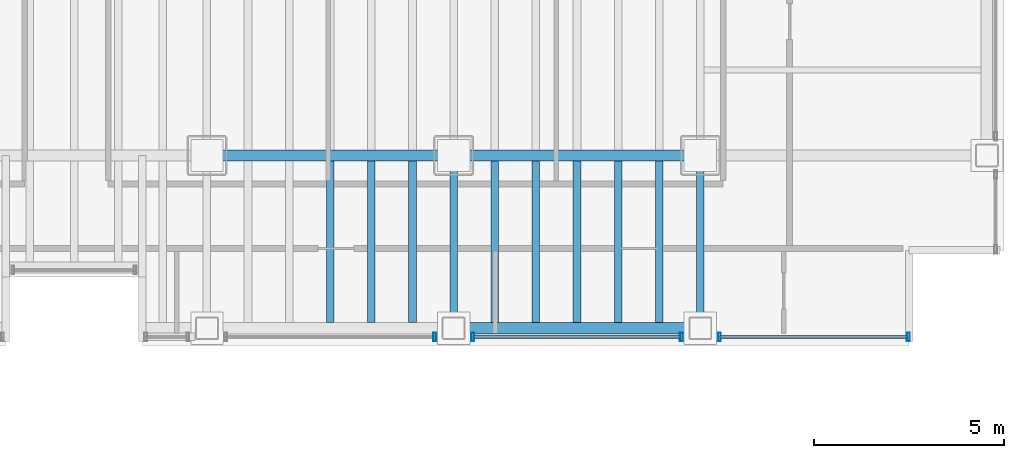
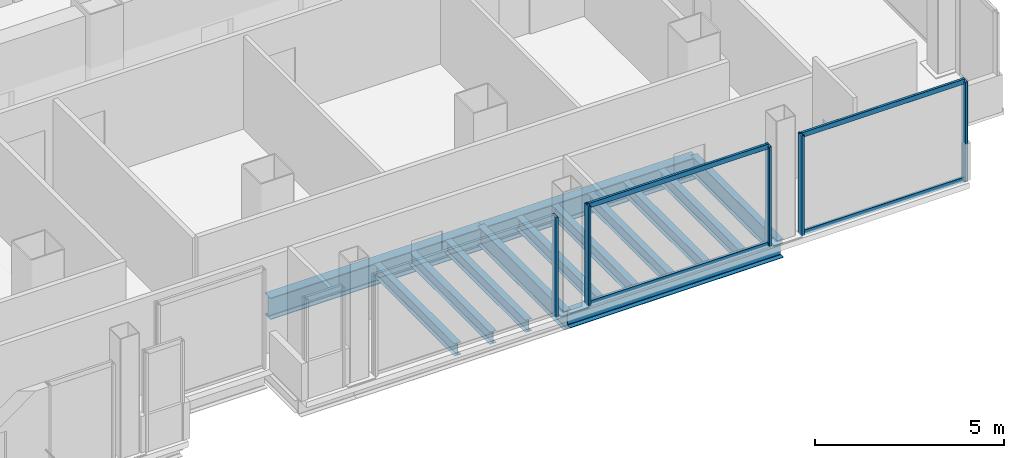
# One storey, part 9 of 21: 13 beams, 9 members, 3 elements without a shape of their own.
"""IFC4 building model written with IfcOpenShell, lengths in metres."""

from ifc_helpers import new_model, si_unit, direction, frame, origin, origin_2d, place, context, subcontext, project, spatial, hollow_rectangle, i_section, extrude, material, material_profile, profile_set, type_object, element, aggregate, save


model = new_model("IFC4")

# Units and contexts
model_context = context("Model", 3, precision=1e-05, world=origin(), true_north=direction((0.0, 1.0)))
body_context = subcontext(model_context, "Body", "Model", "MODEL_VIEW")
ifc_project = project(units=[si_unit("LENGTHUNIT", "METRE"), si_unit("AREAUNIT", "SQUARE_METRE"), si_unit("VOLUMEUNIT", "CUBIC_METRE"), si_unit("PLANEANGLEUNIT", "RADIAN"), si_unit("MASSUNIT", "GRAM", prefix="KILO")], contexts=[model_context])

# Site, building, storey
site_placement = place(None, origin())
site = spatial("IfcSite", under=ifc_project, at=site_placement, CompositionType="ELEMENT")
building_placement = place(site_placement, origin())
building = spatial("IfcBuilding", under=site, at=building_placement, Name="Noeulbin Bourse Tower", CompositionType="ELEMENT")
storey_placement = place(building_placement, frame((0.0, 0.0, 42.10009765625)))
storey = spatial("IfcBuildingStorey", under=building, at=storey_placement, Name="L10", CompositionType="ELEMENT", Elevation=42.10009765625)

# Beams
ifc_material_1 = material(Name="Steel S355", Category="steel")
ifc_material_profile_1 = material_profile(ifc_material_1, i_section(OverallWidth=0.199951171875, OverallDepth=0.60009765625, WebThickness=0.010986328125, FlangeThickness=0.01708984375, FilletRadius=0.02197265625, at=origin_2d()), Name="H-600x200x11x17", Category="LoadBearing")
ifc_profile_set_1 = profile_set([ifc_material_profile_1], Name="Steel S355")
beam_type_1 = type_object("IfcBeamType", Name="BM-GRD-600", PredefinedType="USERDEFINED", material=ifc_profile_set_1)
for number, where, z_axis, x_axis, name in (
    (1, (37.5, 15.449951171875, -0.47998046875), (0.0, 1.0, 0.0), (-1.0, 0.0, 0.0), "Tower Primary Girder NS L10-4.1"),
    (2, (44.0, 15.449951171875, -0.47998046875), (0.0, 1.0, 0.0), (-1.0, 0.0, 0.0), "Tower Primary Girder NS L10-5.1"),
):
    element("IfcBeam", number, at=place(storey_placement, frame(where, z_axis=z_axis, x_axis=x_axis)), inside=storey, type_object=beam_type_1, Name=name, ObjectType="GIRDER", PredefinedType="USERDEFINED", context=body_context, shape_type="SweptSolid", body=[
        extrude(i_section(OverallWidth=0.199951171875, OverallDepth=0.60009765625, WebThickness=0.010986328125, FlangeThickness=0.01708984375, FilletRadius=0.02197265625, at=origin_2d()), origin(), (0.0, 0.0, 1.0), 4.550048828125),
    ])
ifc_material_profile_2 = material_profile(ifc_material_1, i_section(OverallWidth=0.300048828125, OverallDepth=0.699951171875, WebThickness=0.012939453125, FlangeThickness=0.02392578125, FilletRadius=0.02392578125, at=origin_2d()), Name="H-700x300x13x24", Category="LoadBearing")
ifc_profile_set_2 = profile_set([ifc_material_profile_2], Name="Steel S355")
beam_type_2 = type_object("IfcBeamType", Name="BM-GRD-700", PredefinedType="USERDEFINED", material=ifc_profile_set_2)
for number, where, z_axis, x_axis, name in (
    (3, (31.0, 20.0, -0.530029296875), (1.0, 0.0, 0.0), (0.0, 1.0, 0.0), "Tower Primary Girder EW L10-1.4"),
    (4, (37.5, 20.0, -0.530029296875), (1.0, 0.0, 0.0), (0.0, 1.0, 0.0), "Tower Primary Girder EW L10-1.5"),
):
    element("IfcBeam", number, at=place(storey_placement, frame(where, z_axis=z_axis, x_axis=x_axis)), inside=storey, type_object=beam_type_2, Name=name, ObjectType="GIRDER", PredefinedType="USERDEFINED", context=body_context, shape_type="SweptSolid", body=[
        extrude(i_section(OverallWidth=0.300048828125, OverallDepth=0.699951171875, WebThickness=0.012939453125, FlangeThickness=0.02392578125, FilletRadius=0.02392578125, at=origin_2d()), origin(), (0.0, 0.0, 1.0), 6.5),
    ])
ifc_material_profile_3 = material_profile(ifc_material_1, i_section(OverallWidth=0.199951171875, OverallDepth=0.39990234375, WebThickness=0.008056640625, FlangeThickness=0.012939453125, FilletRadius=0.01611328125, at=origin_2d()), Name="H-400x200x8x13", Category="LoadBearing")
ifc_profile_set_3 = profile_set([ifc_material_profile_3], Name="Steel S355")
beam_type_3 = type_object("IfcBeamType", Name="BM-SEC-400", PredefinedType="BEAM", material=ifc_profile_set_3)
for number, where, z_axis, x_axis, name in (
    (5, (34.25, 15.60009765625, -0.380126953125), (0.0, 1.0, 0.0), (-1.0, 0.0, 0.0), "Tower Composite Joist L10-46"),
    (6, (35.333251953125, 15.60009765625, -0.380126953125), (0.0, 1.0, 0.0), (-1.0, 0.0, 0.0), "Tower Composite Joist L10-49"),
    (7, (36.416748046875, 15.60009765625, -0.380126953125), (0.0, 1.0, 0.0), (-1.0, 0.0, 0.0), "Tower Composite Joist L10-52"),
    (8, (38.583251953125, 15.60009765625, -0.380126953125), (0.0, 1.0, 0.0), (-1.0, 0.0, 0.0), "Tower Composite Joist L10-55"),
    (9, (39.666748046875, 15.60009765625, -0.380126953125), (0.0, 1.0, 0.0), (-1.0, 0.0, 0.0), "Tower Composite Joist L10-58"),
    (10, (40.75, 15.60009765625, -0.380126953125), (0.0, 1.0, 0.0), (-1.0, 0.0, 0.0), "Tower Composite Joist L10-61"),
    (11, (41.833251953125, 15.60009765625, -0.380126953125), (0.0, 1.0, 0.0), (-1.0, 0.0, 0.0), "Tower Composite Joist L10-64"),
    (12, (42.916748046875, 15.60009765625, -0.380126953125), (0.0, 1.0, 0.0), (-1.0, 0.0, 0.0), "Tower Composite Joist L10-67"),
):
    element("IfcBeam", number, at=place(storey_placement, frame(where, z_axis=z_axis, x_axis=x_axis)), inside=storey, type_object=beam_type_3, Name=name, PredefinedType="BEAM", context=body_context, shape_type="SweptSolid", body=[
        extrude(i_section(OverallWidth=0.199951171875, OverallDepth=0.39990234375, WebThickness=0.008056640625, FlangeThickness=0.012939453125, FilletRadius=0.01611328125, at=origin_2d()), origin(), (0.0, 0.0, 1.0), 4.25),
    ])
ifc_material_profile_4 = material_profile(ifc_material_1, i_section(OverallWidth=0.300048828125, OverallDepth=0.488037109375, WebThickness=0.010986328125, FlangeThickness=0.01806640625, FilletRadius=0.02197265625, at=origin_2d()), Name="H-488x300x11x18", Category="LoadBearing")
ifc_profile_set_4 = profile_set([ifc_material_profile_4], Name="Steel S355")
beam_type_4 = type_object("IfcBeamType", Name="BM-SPN-488", PredefinedType="SPANDREL", material=ifc_profile_set_4)
beam_placement = place(storey_placement, frame((37.5, 15.449951171875, -0.424072265625), z_axis=(1.0, 0.0, 0.0), x_axis=(0.0, 1.0, 0.0)))
element("IfcBeam", 13, at=beam_placement, inside=storey, type_object=beam_type_4, Name="South Spandrel L10-4", PredefinedType="SPANDREL", context=body_context, shape_type="SweptSolid", body=[
    extrude(i_section(OverallWidth=0.300048828125, OverallDepth=0.488037109375, WebThickness=0.010986328125, FlangeThickness=0.01806640625, FilletRadius=0.02197265625, at=origin_2d()), origin(), (0.0, 0.0, 1.0), 6.5),
])

# Curtain wall, member
ifc_material_2 = material(Name="Dark Solar-Control Double Glazing", Category="glass")
curtain_wall_type = type_object("IfcCurtainWallType", Name="CW-SYS-2", PredefinedType="NOTDEFINED", material=ifc_material_2)
curtain_wall_1_placement = place(storey_placement, origin())
curtain_wall_1 = element("IfcCurtainWall", 14, at=curtain_wall_1_placement, inside=storey, type_object=curtain_wall_type, Name="Unitised Curtain Wall CW-L10-S3-S2", PredefinedType="NOTDEFINED")
ifc_material_3 = material(Name="Anodised Aluminium 6063-T6", Category="aluminium")
ifc_material_profile_5 = material_profile(ifc_material_3, hollow_rectangle(XDim=0.074951171875, YDim=0.219970703125, WallThickness=0.0048828125, InnerFilletRadius=0.00244140625, OuterFilletRadius=0.0048828125, at=origin_2d()), Name="ALU-MULL-75x220x5", Category="LoadBearing")
ifc_profile_set_5 = profile_set([ifc_material_profile_5], Name="Anodised Aluminium 6063-T6")
member_type_1 = type_object("IfcMemberType", Name="CW-SYS-2-MUL", PredefinedType="MULLION", material=ifc_profile_set_5)
member_1_placement = place(storey_placement, frame((37.0, 15.219970703125, -0.02001953125), z_axis=(0.0, 0.0, 1.0), x_axis=(1.0, 0.0, 0.0)))
member_1 = element("IfcMember", 15, at=member_1_placement, type_object=member_type_1, Name="Curtain Wall Mullion CW-L10-S3-S2-M01", PredefinedType="MULLION", context=body_context, shape_type="SweptSolid", body=[
    extrude(hollow_rectangle(XDim=0.074951171875, YDim=0.219970703125, WallThickness=0.0048828125, InnerFilletRadius=0.00244140625, OuterFilletRadius=0.0048828125, at=origin_2d()), origin(), (0.0, 0.0, 1.0), 3.219970703125),
])
aggregate(curtain_wall_1, [member_1])

# Curtain wall, members
curtain_wall_2_placement = place(storey_placement, origin())
curtain_wall_2 = element("IfcCurtainWall", 16, at=curtain_wall_2_placement, inside=storey, type_object=curtain_wall_type, Name="Unitised Curtain Wall CW-L10-S3-S3", PredefinedType="NOTDEFINED")
member_2_placement = place(storey_placement, frame((38.0, 15.219970703125, -0.02001953125), z_axis=(0.0, 0.0, 1.0), x_axis=(1.0, 0.0, 0.0)))
member_2 = element("IfcMember", 17, at=member_2_placement, type_object=member_type_1, Name="Curtain Wall Mullion CW-L10-S3-S3-M00", PredefinedType="MULLION", context=body_context, shape_type="SweptSolid", body=[
    extrude(hollow_rectangle(XDim=0.074951171875, YDim=0.219970703125, WallThickness=0.0048828125, InnerFilletRadius=0.00244140625, OuterFilletRadius=0.0048828125, at=origin_2d()), origin(), (0.0, 0.0, 1.0), 3.219970703125),
])
member_3_placement = place(storey_placement, frame((43.5, 15.219970703125, -0.02001953125), z_axis=(0.0, 0.0, 1.0), x_axis=(1.0, 0.0, 0.0)))
member_3 = element("IfcMember", 18, at=member_3_placement, type_object=member_type_1, Name="Curtain Wall Mullion CW-L10-S3-S3-M01", PredefinedType="MULLION", context=body_context, shape_type="SweptSolid", body=[
    extrude(hollow_rectangle(XDim=0.074951171875, YDim=0.219970703125, WallThickness=0.0048828125, InnerFilletRadius=0.00244140625, OuterFilletRadius=0.0048828125, at=origin_2d()), origin(), (0.0, 0.0, 1.0), 3.219970703125),
])

curtain_wall_3_placement = place(storey_placement, origin())
curtain_wall_3 = element("IfcCurtainWall", 19, at=curtain_wall_3_placement, inside=storey, type_object=curtain_wall_type, Name="Unitised Curtain Wall CW-L10-S3-S4", PredefinedType="NOTDEFINED")
member_4_placement = place(storey_placement, frame((44.5, 15.219970703125, -0.02001953125), z_axis=(0.0, 0.0, 1.0), x_axis=(1.0, 0.0, 0.0)))
member_4 = element("IfcMember", 20, at=member_4_placement, type_object=member_type_1, Name="Curtain Wall Mullion CW-L10-S3-S4-M00", PredefinedType="MULLION", context=body_context, shape_type="SweptSolid", body=[
    extrude(hollow_rectangle(XDim=0.074951171875, YDim=0.219970703125, WallThickness=0.0048828125, InnerFilletRadius=0.00244140625, OuterFilletRadius=0.0048828125, at=origin_2d()), origin(), (0.0, 0.0, 1.0), 3.219970703125),
])
member_5_placement = place(storey_placement, frame((49.47998046875, 15.219970703125, -0.02001953125), z_axis=(0.0, 0.0, 1.0), x_axis=(1.0, 0.0, 0.0)))
member_5 = element("IfcMember", 21, at=member_5_placement, type_object=member_type_1, Name="Curtain Wall Mullion CW-L10-S3-S4-M01", PredefinedType="MULLION", context=body_context, shape_type="SweptSolid", body=[
    extrude(hollow_rectangle(XDim=0.074951171875, YDim=0.219970703125, WallThickness=0.0048828125, InnerFilletRadius=0.00244140625, OuterFilletRadius=0.0048828125, at=origin_2d()), origin(), (0.0, 0.0, 1.0), 3.219970703125),
])

# Member
ifc_material_profile_6 = material_profile(ifc_material_3, hollow_rectangle(XDim=0.074951171875, YDim=0.159912109375, WallThickness=0.0048828125, InnerFilletRadius=0.00244140625, OuterFilletRadius=0.0048828125, at=origin_2d()), Name="ALU-TRAN-75x160x5", Category="LoadBearing")
ifc_profile_set_6 = profile_set([ifc_material_profile_6], Name="Anodised Aluminium 6063-T6")
member_type_2 = type_object("IfcMemberType", Name="CW-SYS-2-TRN", PredefinedType="USERDEFINED", material=ifc_profile_set_6)
member_6_placement = place(storey_placement, frame((38.010009765625, 15.219970703125, 0.010009765625), z_axis=(1.0, 0.0, 0.0), x_axis=(0.0, 1.0, 0.0)))
member_6 = element("IfcMember", 22, at=member_6_placement, type_object=member_type_2, Name="Curtain Wall Transom CW-L10-S3-S3-T00", ObjectType="TRANSOM", PredefinedType="USERDEFINED", context=body_context, shape_type="SweptSolid", body=[
    extrude(hollow_rectangle(XDim=0.074951171875, YDim=0.159912109375, WallThickness=0.0048828125, InnerFilletRadius=0.00244140625, OuterFilletRadius=0.0048828125, at=origin_2d()), origin(), (0.0, 0.0, 1.0), 5.47998046875),
])

member_7_placement = place(storey_placement, frame((38.010009765625, 15.219970703125, 3.169921875), z_axis=(1.0, 0.0, 0.0), x_axis=(0.0, 1.0, 0.0)))
member_7 = element("IfcMember", 23, at=member_7_placement, type_object=member_type_2, Name="Curtain Wall Transom CW-L10-S3-S3-T01", ObjectType="TRANSOM", PredefinedType="USERDEFINED", context=body_context, shape_type="SweptSolid", body=[
    extrude(hollow_rectangle(XDim=0.074951171875, YDim=0.159912109375, WallThickness=0.0048828125, InnerFilletRadius=0.00244140625, OuterFilletRadius=0.0048828125, at=origin_2d()), origin(), (0.0, 0.0, 1.0), 5.47998046875),
])

aggregate(curtain_wall_2, [member_2, member_3, member_6, member_7])

member_8_placement = place(storey_placement, frame((44.510009765625, 15.219970703125, 0.010009765625), z_axis=(1.0, 0.0, 0.0), x_axis=(0.0, 1.0, 0.0)))
member_8 = element("IfcMember", 24, at=member_8_placement, type_object=member_type_2, Name="Curtain Wall Transom CW-L10-S3-S4-T00", ObjectType="TRANSOM", PredefinedType="USERDEFINED", context=body_context, shape_type="SweptSolid", body=[
    extrude(hollow_rectangle(XDim=0.074951171875, YDim=0.159912109375, WallThickness=0.0048828125, InnerFilletRadius=0.00244140625, OuterFilletRadius=0.0048828125, at=origin_2d()), origin(), (0.0, 0.0, 1.0), 4.9599609375),
])

member_9_placement = place(storey_placement, frame((44.510009765625, 15.219970703125, 3.169921875), z_axis=(1.0, 0.0, 0.0), x_axis=(0.0, 1.0, 0.0)))
member_9 = element("IfcMember", 25, at=member_9_placement, type_object=member_type_2, Name="Curtain Wall Transom CW-L10-S3-S4-T01", ObjectType="TRANSOM", PredefinedType="USERDEFINED", context=body_context, shape_type="SweptSolid", body=[
    extrude(hollow_rectangle(XDim=0.074951171875, YDim=0.159912109375, WallThickness=0.0048828125, InnerFilletRadius=0.00244140625, OuterFilletRadius=0.0048828125, at=origin_2d()), origin(), (0.0, 0.0, 1.0), 4.9599609375),
])

aggregate(curtain_wall_3, [member_4, member_5, member_8, member_9])

save(model, "model.ifc")
